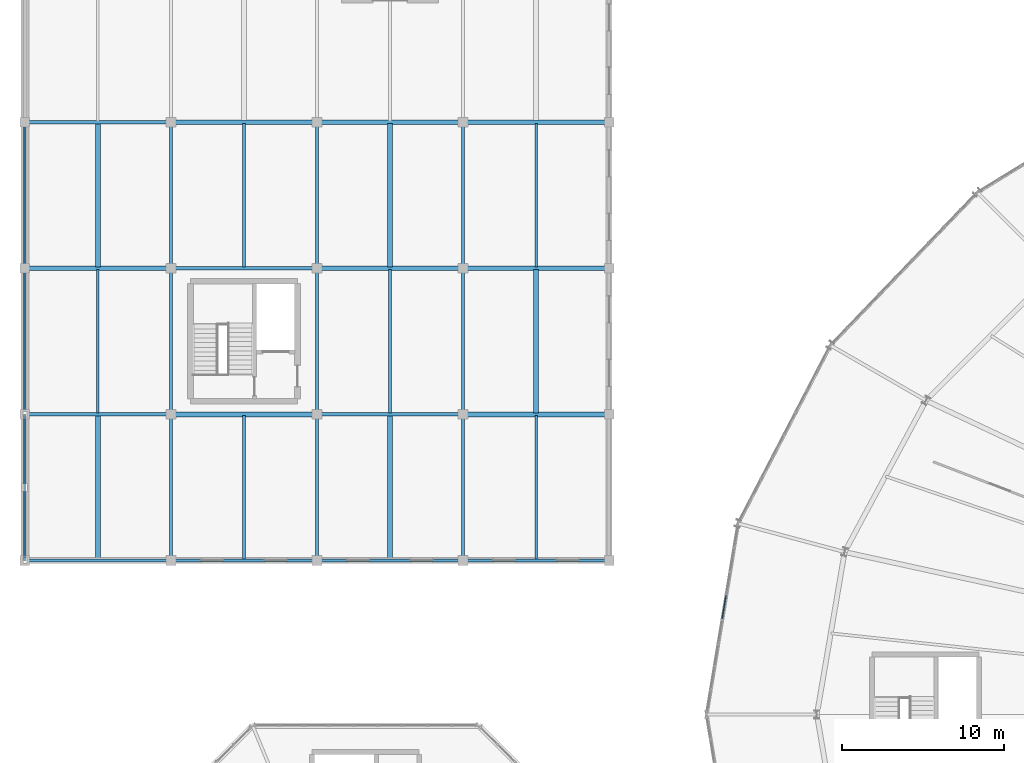
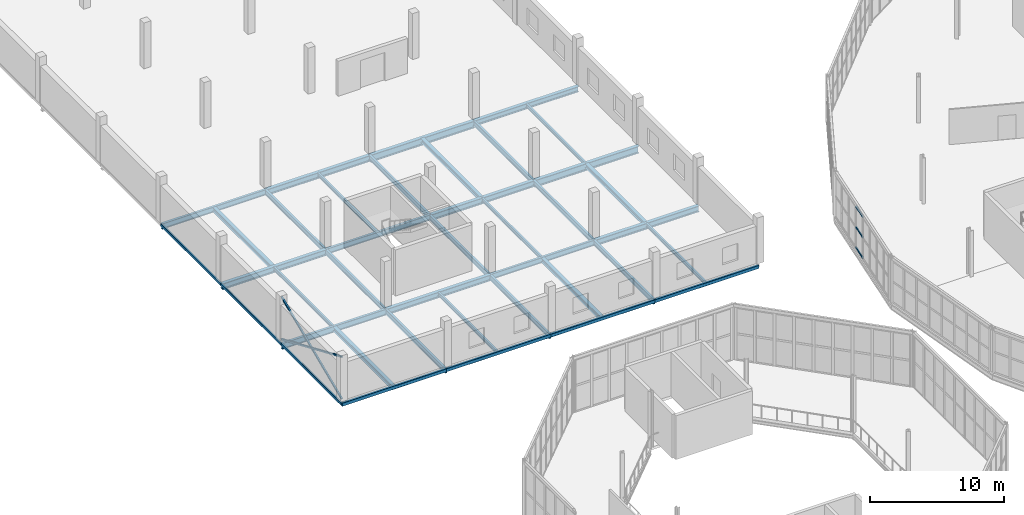
# One storey, part 56 of 161: 39 beams, 6 members, 1 element without a shape of its own.
"""IFC4 building model written with IfcOpenShell, lengths in metres."""

from ifc_helpers import new_model, si_unit, direction, frame, origin, origin_2d, place, context, subcontext, project, spatial, rectangle, hollow_rectangle, i_section, extrude, material, material_profile, profile_set, type_object, element, aggregate, save


model = new_model("IFC4")

# Units and contexts
model_context = context("Model", 3, precision=1e-05, world=origin(), true_north=direction((0.0, 1.0)))
body_context = subcontext(model_context, "Body", "Model", "MODEL_VIEW")
ifc_project = project(units=[si_unit("LENGTHUNIT", "METRE"), si_unit("AREAUNIT", "SQUARE_METRE"), si_unit("VOLUMEUNIT", "CUBIC_METRE"), si_unit("PLANEANGLEUNIT", "RADIAN"), si_unit("MASSUNIT", "GRAM", prefix="KILO")], contexts=[model_context])

# Site, building, storey
site_placement = place(None, origin())
site = spatial("IfcSite", under=ifc_project, at=site_placement, CompositionType="ELEMENT")
building_placement = place(site_placement, origin())
building = spatial("IfcBuilding", under=site, at=building_placement, Name="Kildeholm Park Wholesale Market", CompositionType="ELEMENT")
storey_placement = place(building_placement, frame((0.0, 0.0, 5.39990234375)))
storey = spatial("IfcBuildingStorey", under=building, at=storey_placement, Name="L01", CompositionType="ELEMENT", Elevation=5.39990234375)

# Beams
ifc_material_1 = material(Name="Steel S355", Category="steel")
ifc_material_profile_1 = material_profile(ifc_material_1, i_section(OverallWidth=0.18994140625, OverallDepth=0.449951171875, WebThickness=0.009521484375, FlangeThickness=0.0146484375, FilletRadius=0.02099609375, at=origin_2d()), Name="IPE 450")
ifc_profile_set_1 = profile_set([ifc_material_profile_1], Name="Steel S355")
beam_type_1 = type_object("IfcBeamType", Name="Beam B-P02 IPE 450", PredefinedType="BEAM", material=ifc_profile_set_1)
for number, where, z_axis, x_axis, name in (
    (1, (9.0, 99.0, -0.544921875), (0.0, 1.0, 0.0), (-1.0, 0.0, 0.0), "Beam BM-V4-L01-Y-009-099 BM-0707"),
    (2, (9.0, 108.0, -0.544921875), (0.0, 1.0, 0.0), (-1.0, 0.0, 0.0), "Beam BM-V4-L01-Y-009-108 BM-0710"),
    (3, (9.0, 117.0, -0.544921875), (0.0, 1.0, 0.0), (-1.0, 0.0, 0.0), "Beam BM-V4-L01-Y-009-117 BM-0712"),
    (4, (18.0, 99.0, -0.544921875), (0.0, 1.0, 0.0), (-1.0, 0.0, 0.0), "Beam BM-V4-L01-Y-018-099 BM-0731"),
    (5, (18.0, 108.0, -0.544921875), (0.0, 1.0, 0.0), (-1.0, 0.0, 0.0), "Beam BM-V4-L01-Y-018-108 BM-0734"),
    (6, (18.0, 117.0, -0.544921875), (0.0, 1.0, 0.0), (-1.0, 0.0, 0.0), "Beam BM-V4-L01-Y-018-117 BM-0737"),
    (7, (27.0, 99.0, -0.544921875), (0.0, 1.0, 0.0), (-1.0, 0.0, 0.0), "Beam BM-V4-L01-Y-027-099 BM-0756"),
    (8, (27.0, 108.0, -0.544921875), (0.0, 1.0, 0.0), (-1.0, 0.0, 0.0), "Beam BM-V4-L01-Y-027-108 BM-0759"),
    (9, (27.0, 117.0, -0.544921875), (0.0, 1.0, 0.0), (-1.0, 0.0, 0.0), "Beam BM-V4-L01-Y-027-117 BM-0762"),
):
    element("IfcBeam", number, at=place(storey_placement, frame(where, z_axis=z_axis, x_axis=x_axis)), inside=storey, type_object=beam_type_1, Name=name, PredefinedType="BEAM", context=body_context, shape_type="SweptSolid", body=[
        extrude(i_section(OverallWidth=0.18994140625, OverallDepth=0.449951171875, WebThickness=0.009521484375, FlangeThickness=0.0146484375, FilletRadius=0.02099609375, at=origin_2d()), origin(), (0.0, 0.0, 1.0), 9.0),
    ])
ifc_material_profile_2 = material_profile(ifc_material_1, i_section(OverallWidth=0.199951171875, OverallDepth=0.5, WebThickness=0.01025390625, FlangeThickness=0.01611328125, FilletRadius=0.02099609375, at=origin_2d()), Name="IPE 500")
ifc_profile_set_2 = profile_set([ifc_material_profile_2], Name="Steel S355")
beam_type_2 = type_object("IfcBeamType", Name="Beam B-P03 IPE 500", PredefinedType="BEAM", material=ifc_profile_set_2)
for number, where, z_axis, x_axis, name in (
    (10, (0.0, 126.0, -0.56982421875), (1.0, 0.0, 0.0), (0.0, 1.0, 0.0), "Beam BM-V4-L01-X-000-126 BM-0690"),
    (11, (9.0, 117.0, -0.56982421875), (1.0, 0.0, 0.0), (0.0, 1.0, 0.0), "Beam BM-V4-L01-X-009-117 BM-0711"),
    (12, (18.0, 108.0, -0.56982421875), (1.0, 0.0, 0.0), (0.0, 1.0, 0.0), "Beam BM-V4-L01-X-018-108 BM-0733"),
):
    element("IfcBeam", number, at=place(storey_placement, frame(where, z_axis=z_axis, x_axis=x_axis)), inside=storey, type_object=beam_type_2, Name=name, PredefinedType="BEAM", context=body_context, shape_type="SweptSolid", body=[
        extrude(i_section(OverallWidth=0.199951171875, OverallDepth=0.5, WebThickness=0.01025390625, FlangeThickness=0.01611328125, FilletRadius=0.02099609375, at=origin_2d()), origin(), (0.0, 0.0, 1.0), 9.0),
    ])
ifc_material_profile_3 = material_profile(ifc_material_1, i_section(OverallWidth=0.2099609375, OverallDepth=0.550048828125, WebThickness=0.010986328125, FlangeThickness=0.01708984375, FilletRadius=0.02392578125, at=origin_2d()), Name="IPE 550")
ifc_profile_set_3 = profile_set([ifc_material_profile_3], Name="Steel S355")
beam_type_3 = type_object("IfcBeamType", Name="Beam B-X01 IPE 550", PredefinedType="BEAM", material=ifc_profile_set_3)
beam_1_placement = place(storey_placement, frame((0.0, 108.0, -0.594970703125), z_axis=(1.0, 0.0, 0.0), x_axis=(0.0, 1.0, 0.0)))
element("IfcBeam", 13, at=beam_1_placement, inside=storey, type_object=beam_type_3, Name="Beam BM-V4-L01-X-000-108 BM-0684", PredefinedType="BEAM", context=body_context, shape_type="SweptSolid", body=[
    extrude(i_section(OverallWidth=0.2099609375, OverallDepth=0.550048828125, WebThickness=0.010986328125, FlangeThickness=0.01708984375, FilletRadius=0.02392578125, at=origin_2d()), origin(), (0.0, 0.0, 1.0), 9.0),
])
ifc_material_profile_4 = material_profile(ifc_material_1, i_section(OverallWidth=0.300048828125, OverallDepth=0.5400390625, WebThickness=0.012451171875, FlangeThickness=0.02392578125, FilletRadius=0.027099609375, at=origin_2d()), Name="HEA 550")
ifc_profile_set_4 = profile_set([ifc_material_profile_4], Name="Steel S355")
beam_type_4 = type_object("IfcBeamType", Name="Beam B-X02 HEA 550", PredefinedType="BEAM", material=ifc_profile_set_4)
for number, where, z_axis, x_axis, name in (
    (14, (0.0, 117.0, -0.58984375), (1.0, 0.0, 0.0), (0.0, 1.0, 0.0), "Beam BM-V4-L01-X-000-117 BM-0687"),
    (15, (9.0, 108.0, -0.58984375), (1.0, 0.0, 0.0), (0.0, 1.0, 0.0), "Beam BM-V4-L01-X-009-108 BM-0709"),
):
    element("IfcBeam", number, at=place(storey_placement, frame(where, z_axis=z_axis, x_axis=x_axis)), inside=storey, type_object=beam_type_4, Name=name, PredefinedType="BEAM", context=body_context, shape_type="SweptSolid", body=[
        extrude(i_section(OverallWidth=0.300048828125, OverallDepth=0.5400390625, WebThickness=0.012451171875, FlangeThickness=0.02392578125, FilletRadius=0.027099609375, at=origin_2d()), origin(), (0.0, 0.0, 1.0), 9.0),
    ])
ifc_material_profile_5 = material_profile(ifc_material_1, i_section(OverallWidth=0.300048828125, OverallDepth=0.550048828125, WebThickness=0.014892578125, FlangeThickness=0.029052734375, FilletRadius=0.027099609375, at=origin_2d()), Name="HEB 550")
ifc_profile_set_5 = profile_set([ifc_material_profile_5], Name="Steel S355")
beam_type_5 = type_object("IfcBeamType", Name="Beam B-X03 HEB 550", PredefinedType="BEAM", material=ifc_profile_set_5)
for number, where, z_axis, x_axis, name in (
    (16, (9.0, 126.0, -0.594970703125), (1.0, 0.0, 0.0), (0.0, 1.0, 0.0), "Beam BM-V4-L01-X-009-126 BM-0714"),
    (17, (18.0, 117.0, -0.594970703125), (1.0, 0.0, 0.0), (0.0, 1.0, 0.0), "Beam BM-V4-L01-X-018-117 BM-0736"),
    (18, (27.0, 108.0, -0.594970703125), (1.0, 0.0, 0.0), (0.0, 1.0, 0.0), "Beam BM-V4-L01-X-027-108 BM-0758"),
):
    element("IfcBeam", number, at=place(storey_placement, frame(where, z_axis=z_axis, x_axis=x_axis)), inside=storey, type_object=beam_type_5, Name=name, PredefinedType="BEAM", context=body_context, shape_type="SweptSolid", body=[
        extrude(i_section(OverallWidth=0.300048828125, OverallDepth=0.550048828125, WebThickness=0.014892578125, FlangeThickness=0.029052734375, FilletRadius=0.027099609375, at=origin_2d()), origin(), (0.0, 0.0, 1.0), 9.0),
    ])
ifc_material_profile_6 = material_profile(ifc_material_1, i_section(OverallWidth=0.300048828125, OverallDepth=0.64990234375, WebThickness=0.01611328125, FlangeThickness=0.031005859375, FilletRadius=0.027099609375, at=origin_2d()), Name="HEB 650")
ifc_profile_set_6 = profile_set([ifc_material_profile_6], Name="Steel S355")
beam_type_6 = type_object("IfcBeamType", Name="Beam B-X04 HEB 650", PredefinedType="BEAM", material=ifc_profile_set_6)
for number, where, z_axis, x_axis, name in (
    (19, (18.0, 126.0, -0.64501953125), (1.0, 0.0, 0.0), (0.0, 1.0, 0.0), "Beam BM-V4-L01-X-018-126 BM-0739"),
    (20, (27.0, 117.0, -0.64501953125), (1.0, 0.0, 0.0), (0.0, 1.0, 0.0), "Beam BM-V4-L01-X-027-117 BM-0761"),
):
    element("IfcBeam", number, at=place(storey_placement, frame(where, z_axis=z_axis, x_axis=x_axis)), inside=storey, type_object=beam_type_6, Name=name, PredefinedType="BEAM", context=body_context, shape_type="SweptSolid", body=[
        extrude(i_section(OverallWidth=0.300048828125, OverallDepth=0.64990234375, WebThickness=0.01611328125, FlangeThickness=0.031005859375, FilletRadius=0.027099609375, at=origin_2d()), origin(), (0.0, 0.0, 1.0), 9.0),
    ])
ifc_material_profile_7 = material_profile(ifc_material_1, i_section(OverallWidth=0.300048828125, OverallDepth=0.5, WebThickness=0.014404296875, FlangeThickness=0.028076171875, FilletRadius=0.027099609375, at=origin_2d()), Name="HEB 500")
ifc_profile_set_7 = profile_set([ifc_material_profile_7], Name="Steel S355")
beam_type_7 = type_object("IfcBeamType", Name="Beam B-X05 HEB 500", PredefinedType="BEAM", material=ifc_profile_set_7)
beam_2_placement = place(storey_placement, frame((27.0, 126.0, -0.56982421875), z_axis=(1.0, 0.0, 0.0), x_axis=(0.0, 1.0, 0.0)))
element("IfcBeam", 21, at=beam_2_placement, inside=storey, type_object=beam_type_7, Name="Beam BM-V4-L01-X-027-126 BM-0764", PredefinedType="BEAM", context=body_context, shape_type="SweptSolid", body=[
    extrude(i_section(OverallWidth=0.300048828125, OverallDepth=0.5, WebThickness=0.014404296875, FlangeThickness=0.028076171875, FilletRadius=0.027099609375, at=origin_2d()), origin(), (0.0, 0.0, 1.0), 9.0),
])
ifc_material_profile_8 = material_profile(ifc_material_1, i_section(OverallWidth=0.159912109375, OverallDepth=0.330078125, WebThickness=0.007568359375, FlangeThickness=0.011474609375, FilletRadius=0.01806640625, at=origin_2d()), Name="IPE 330")
ifc_profile_set_8 = profile_set([ifc_material_profile_8], Name="Steel S355")
beam_type_8 = type_object("IfcBeamType", Name="Beam J-03 IPE 330", PredefinedType="JOIST", material=ifc_profile_set_8)
for number, where, z_axis, x_axis, name in (
    (22, (4.5, 108.0849609375, -0.48486328125), (0.0, 1.0, 0.0), (-1.0, 0.0, 0.0), "Beam JT-V4-L01-000-108 BM-0686"),
    (23, (13.5, 99.0849609375, -0.48486328125), (0.0, 1.0, 0.0), (-1.0, 0.0, 0.0), "Beam JT-V4-L01-009-099 BM-0708"),
    (24, (13.5, 117.0849609375, -0.48486328125), (0.0, 1.0, 0.0), (-1.0, 0.0, 0.0), "Beam JT-V4-L01-009-117 BM-0713"),
    (25, (22.5, 108.0849609375, -0.48486328125), (0.0, 1.0, 0.0), (-1.0, 0.0, 0.0), "Beam JT-V4-L01-018-108 BM-0735"),
    (26, (31.5, 99.0849609375, -0.48486328125), (0.0, 1.0, 0.0), (-1.0, 0.0, 0.0), "Beam JT-V4-L01-027-099 BM-0757"),
    (27, (31.5, 117.0849609375, -0.48486328125), (0.0, 1.0, 0.0), (-1.0, 0.0, 0.0), "Beam JT-V4-L01-027-117 BM-0763"),
):
    element("IfcBeam", number, at=place(storey_placement, frame(where, z_axis=z_axis, x_axis=x_axis)), inside=storey, type_object=beam_type_8, Name=name, PredefinedType="JOIST", context=body_context, shape_type="SweptSolid", body=[
        extrude(i_section(OverallWidth=0.159912109375, OverallDepth=0.330078125, WebThickness=0.007568359375, FlangeThickness=0.011474609375, FilletRadius=0.01806640625, at=origin_2d()), origin(), (0.0, 0.0, 1.0), 8.830078125),
    ])
ifc_material_profile_9 = material_profile(ifc_material_1, i_section(OverallWidth=0.300048828125, OverallDepth=0.389892578125, WebThickness=0.010986328125, FlangeThickness=0.01904296875, FilletRadius=0.027099609375, at=origin_2d()), Name="HEA 400")
ifc_profile_set_9 = profile_set([ifc_material_profile_9], Name="Steel S355")
beam_type_9 = type_object("IfcBeamType", Name="Beam J-06 HEA 400", PredefinedType="JOIST", material=ifc_profile_set_9)
for number, where, z_axis, x_axis, name in (
    (28, (4.5, 99.0849609375, -0.514892578125), (0.0, 1.0, 0.0), (-1.0, 0.0, 0.0), "Beam JT-V4-L01-000-099 BM-0683"),
    (29, (4.5, 117.0849609375, -0.514892578125), (0.0, 1.0, 0.0), (-1.0, 0.0, 0.0), "Beam JT-V4-L01-000-117 BM-0689"),
    (30, (22.5, 99.0849609375, -0.514892578125), (0.0, 1.0, 0.0), (-1.0, 0.0, 0.0), "Beam JT-V4-L01-018-099 BM-0732"),
    (31, (22.5, 117.0849609375, -0.514892578125), (0.0, 1.0, 0.0), (-1.0, 0.0, 0.0), "Beam JT-V4-L01-018-117 BM-0738"),
    (32, (31.5, 108.0849609375, -0.514892578125), (0.0, 1.0, 0.0), (-1.0, 0.0, 0.0), "Beam JT-V4-L01-027-108 BM-0760"),
):
    element("IfcBeam", number, at=place(storey_placement, frame(where, z_axis=z_axis, x_axis=x_axis)), inside=storey, type_object=beam_type_9, Name=name, PredefinedType="JOIST", context=body_context, shape_type="SweptSolid", body=[
        extrude(i_section(OverallWidth=0.300048828125, OverallDepth=0.389892578125, WebThickness=0.010986328125, FlangeThickness=0.01904296875, FilletRadius=0.027099609375, at=origin_2d()), origin(), (0.0, 0.0, 1.0), 8.830078125),
    ])
ifc_material_profile_10 = material_profile(ifc_material_1, hollow_rectangle(XDim=0.199951171875, YDim=0.300048828125, WallThickness=0.012451171875, InnerFilletRadius=0.012451171875, OuterFilletRadius=0.02490234375, at=origin_2d()), Name="RHS 300x200x12.5")
ifc_profile_set_10 = profile_set([ifc_material_profile_10], Name="Steel S355")
beam_type_10 = type_object("IfcBeamType", Name="Beam SP-01 RHS 300x200x12.5", PredefinedType="SPANDREL", material=ifc_profile_set_10)
for number, where, z_axis, x_axis, name in (
    (33, (0.0, 99.0, -0.469970703125), (1.0, 0.0, 0.0), (0.0, 1.0, 0.0), "Beam BM-V4-L01-X-000-099 BM-0681"),
    (34, (9.0, 99.0, -0.469970703125), (1.0, 0.0, 0.0), (0.0, 1.0, 0.0), "Beam BM-V4-L01-X-009-099 BM-0706"),
    (35, (18.0, 99.0, -0.469970703125), (1.0, 0.0, 0.0), (0.0, 1.0, 0.0), "Beam BM-V4-L01-X-018-099 BM-0730"),
    (36, (27.0, 99.0, -0.469970703125), (1.0, 0.0, 0.0), (0.0, 1.0, 0.0), "Beam BM-V4-L01-X-027-099 BM-0755"),
):
    element("IfcBeam", number, at=place(storey_placement, frame(where, z_axis=z_axis, x_axis=x_axis)), inside=storey, type_object=beam_type_10, Name=name, PredefinedType="SPANDREL", context=body_context, shape_type="SweptSolid", body=[
        extrude(hollow_rectangle(XDim=0.199951171875, YDim=0.300048828125, WallThickness=0.012451171875, InnerFilletRadius=0.012451171875, OuterFilletRadius=0.02490234375, at=origin_2d()), origin(), (0.0, 0.0, 1.0), 9.0),
    ])
ifc_material_profile_11 = material_profile(ifc_material_1, hollow_rectangle(XDim=0.14990234375, YDim=0.25, WallThickness=0.010009765625, InnerFilletRadius=0.010009765625, OuterFilletRadius=0.02001953125, at=origin_2d()), Name="RHS 250x150x10")
ifc_profile_set_11 = profile_set([ifc_material_profile_11], Name="Steel S355")
beam_type_11 = type_object("IfcBeamType", Name="Beam SP-02 RHS 250x150x10", PredefinedType="SPANDREL", material=ifc_profile_set_11)
for number, where, z_axis, x_axis, name in (
    (37, (0.0, 99.0, -0.44482421875), (0.0, 1.0, 0.0), (-1.0, 0.0, 0.0), "Beam BM-V4-L01-Y-000-099 BM-0682"),
    (38, (0.0, 108.0, -0.44482421875), (0.0, 1.0, 0.0), (-1.0, 0.0, 0.0), "Beam BM-V4-L01-Y-000-108 BM-0685"),
    (39, (0.0, 117.0, -0.44482421875), (0.0, 1.0, 0.0), (-1.0, 0.0, 0.0), "Beam BM-V4-L01-Y-000-117 BM-0688"),
):
    element("IfcBeam", number, at=place(storey_placement, frame(where, z_axis=z_axis, x_axis=x_axis)), inside=storey, type_object=beam_type_11, Name=name, PredefinedType="SPANDREL", context=body_context, shape_type="SweptSolid", body=[
        extrude(hollow_rectangle(XDim=0.14990234375, YDim=0.25, WallThickness=0.010009765625, InnerFilletRadius=0.010009765625, OuterFilletRadius=0.02001953125, at=origin_2d()), origin(), (0.0, 0.0, 1.0), 9.0),
    ])

# Curtain wall, members
ifc_material_2 = material(Name="Anodised aluminium and low-E double-glazed glass", Category="aluminium")
curtain_wall_type = type_object("IfcCurtainWallType", Name="Market hall glazed arcade stick curtain wall CW-01", PredefinedType="NOTDEFINED", material=ifc_material_2)
curtain_wall_placement = place(storey_placement, origin())
curtain_wall = element("IfcCurtainWall", 40, at=curtain_wall_placement, inside=storey, type_object=curtain_wall_type, Name="Curtain wall CW-V1-OT-11-1 CW-0054", PredefinedType="NOTDEFINED")
ifc_material_3 = material(Name="Anodised aluminium", Category="aluminium")
ifc_material_profile_12 = material_profile(ifc_material_3, rectangle(XDim=0.06494140625, YDim=0.139892578125, at=origin_2d()), Name="CWT 65x140")
ifc_profile_set_12 = profile_set([ifc_material_profile_12], Name="Anodised aluminium")
member_type_1 = type_object("IfcMemberType", Name="Curtain-wall transom CWT-1 CWT 65x140", PredefinedType="USERDEFINED", material=ifc_profile_set_12)
member_1_placement = place(storey_placement, frame((43.200439453125, 96.819091796875, 0.03271484375), z_axis=(-0.162834009189, -0.9866534779, 0.0), x_axis=(0.9866534779, -0.162834009189, 0.0)))
member_1 = element("IfcMember", 41, at=member_1_placement, type_object=member_type_1, Name="CW-01 transom 4.1 MEM-1889", ObjectType="TRANSOM", PredefinedType="USERDEFINED", context=body_context, shape_type="SweptSolid", body=[
    extrude(rectangle(XDim=0.06494140625, YDim=0.139892578125, at=origin_2d()), origin(), (0.0, 0.0, 1.0), 1.416748046875),
])
member_2_placement = place(storey_placement, frame((43.200439453125, 96.819091796875, 1.900146484375), z_axis=(-0.162834009189, -0.9866534779, 0.0), x_axis=(0.9866534779, -0.162834009189, 0.0)))
member_2 = element("IfcMember", 42, at=member_2_placement, type_object=member_type_1, Name="CW-01 transom 4.2 MEM-1890", ObjectType="TRANSOM", PredefinedType="USERDEFINED", context=body_context, shape_type="SweptSolid", body=[
    extrude(rectangle(XDim=0.06494140625, YDim=0.139892578125, at=origin_2d()), origin(), (0.0, 0.0, 1.0), 1.416748046875),
])
member_3_placement = place(storey_placement, frame((43.200439453125, 96.819091796875, 3.767578125), z_axis=(-0.162834009189, -0.9866534779, 0.0), x_axis=(0.9866534779, -0.162834009189, 0.0)))
member_3 = element("IfcMember", 43, at=member_3_placement, type_object=member_type_1, Name="CW-01 transom 4.3 MEM-1891", ObjectType="TRANSOM", PredefinedType="USERDEFINED", context=body_context, shape_type="SweptSolid", body=[
    extrude(rectangle(XDim=0.06494140625, YDim=0.139892578125, at=origin_2d()), origin(), (0.0, 0.0, 1.0), 1.416748046875),
])
aggregate(curtain_wall, [member_1, member_2, member_3])

# Members
ifc_material_profile_13 = material_profile(ifc_material_1, hollow_rectangle(XDim=0.14990234375, YDim=0.14990234375, WallThickness=0.010009765625, InnerFilletRadius=0.010009765625, OuterFilletRadius=0.02001953125, at=origin_2d()), Name="SHS 150x150x10")
ifc_profile_set_13 = profile_set([ifc_material_profile_13], Name="Steel S355")
member_type_2 = type_object("IfcMemberType", Name="Member TB-03 SHS 150x150x10", PredefinedType="BRACE", material=ifc_profile_set_13)
member_4_placement = place(storey_placement, frame((0.0, 99.0, 0.02001953125), z_axis=(0.0, 0.91903538651, 0.394175035159), x_axis=(-1.0, 0.0, 0.0)))
element("IfcMember", 44, at=member_4_placement, inside=storey, type_object=member_type_2, Name="Member BR-V4-L01-1 MEM-0351", PredefinedType="BRACE", context=body_context, shape_type="SweptSolid", body=[
    extrude(hollow_rectangle(XDim=0.14990234375, YDim=0.14990234375, WallThickness=0.010009765625, InnerFilletRadius=0.010009765625, OuterFilletRadius=0.02001953125, at=origin_2d()), origin(), (0.0, 0.0, 1.0), 9.79296875),
])
for number, where, z_axis, x_axis, name in (
    (45, (0.0, 108.0, 0.02001953125), (0.0, -0.919030578096, 0.394186245985), (1.0, 0.0, 0.0), "Member BR-V4-L01-2A MEM-0352"),
    (46, (0.0, 103.463134765625, 1.9658203125), (0.0, -0.919030578096, 0.394186245985), (1.0, 0.0, 0.0), "Member BR-V4-L01-2B MEM-0353"),
):
    element("IfcMember", number, at=place(storey_placement, frame(where, z_axis=z_axis, x_axis=x_axis)), inside=storey, type_object=member_type_2, Name=name, PredefinedType="BRACE", context=body_context, shape_type="SweptSolid", body=[
        extrude(hollow_rectangle(XDim=0.14990234375, YDim=0.14990234375, WallThickness=0.010009765625, InnerFilletRadius=0.010009765625, OuterFilletRadius=0.02001953125, at=origin_2d()), origin(), (0.0, 0.0, 1.0), 4.8564453125),
    ])

save(model, "model.ifc")
